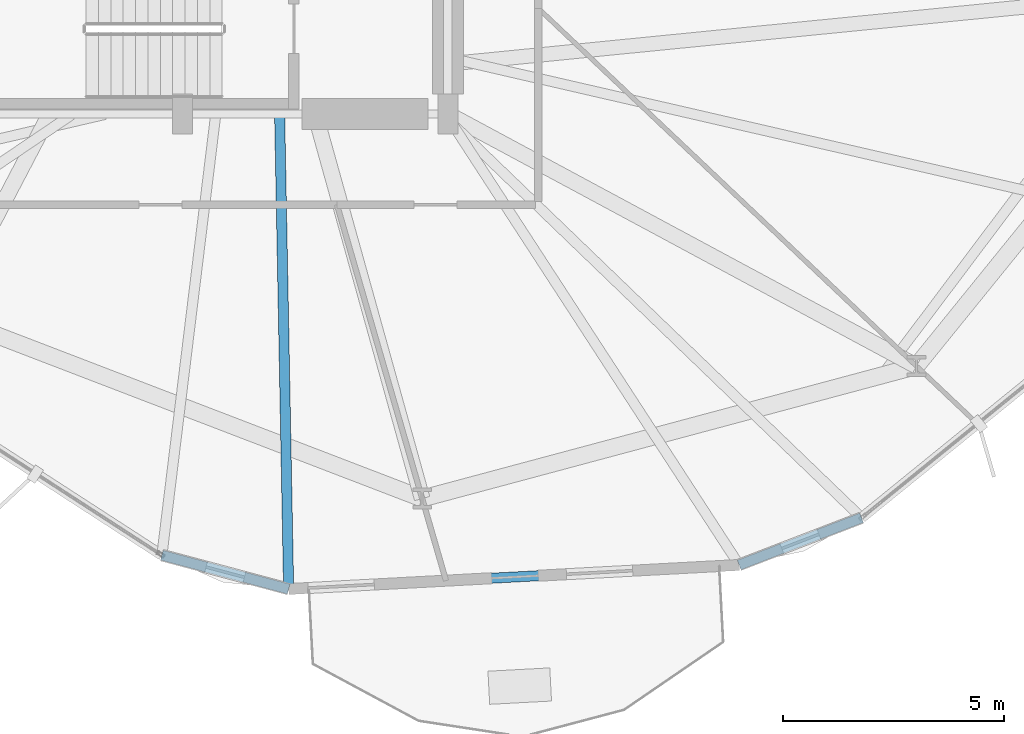
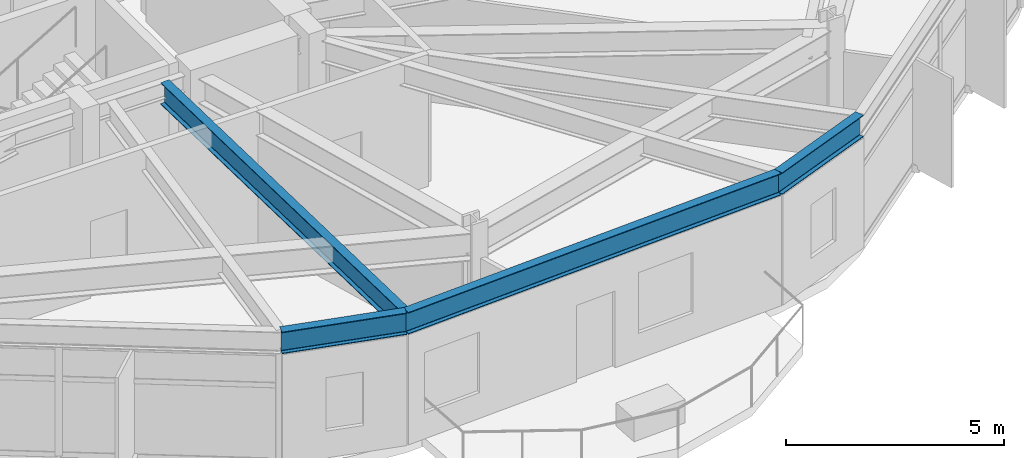
# One storey, part 4 of 23: 4 beams.
"""IFC4 building model written with IfcOpenShell, lengths in metres."""

from ifc_helpers import new_model, si_unit, direction, frame, origin, origin_2d, place, context, subcontext, project, spatial, i_section, extrude, material, material_profile, profile_set, type_object, element, save


model = new_model("IFC4")

# Units and contexts
model_context = context("Model", 3, precision=1e-05, world=origin(), true_north=direction((0.0, 1.0)))
body_context = subcontext(model_context, "Body", "Model", "MODEL_VIEW")
ifc_project = project(units=[si_unit("LENGTHUNIT", "METRE"), si_unit("AREAUNIT", "SQUARE_METRE"), si_unit("VOLUMEUNIT", "CUBIC_METRE"), si_unit("PLANEANGLEUNIT", "RADIAN"), si_unit("MASSUNIT", "GRAM", prefix="KILO")], contexts=[model_context])

# Site, building, storey
site_placement = place(None, origin())
site = spatial("IfcSite", under=ifc_project, at=site_placement, CompositionType="ELEMENT")
building_placement = place(site_placement, origin())
building = spatial("IfcBuilding", under=site, at=building_placement, Name="Soratama Intermodal Tower", CompositionType="ELEMENT")
storey_placement = place(building_placement, frame((0.0, 0.0, 38.60009765625)))
storey = spatial("IfcBuildingStorey", under=building, at=storey_placement, Name="L08", CompositionType="ELEMENT", Elevation=38.60009765625)

# Beams
ifc_material_1 = material(Name="Structural steel ASTM A992 Grade 50", Category="steel")
ifc_material_profile_1 = material_profile(ifc_material_1, i_section(OverallWidth=0.22900390625, OverallDepth=0.612060546875, WebThickness=0.011962890625, FlangeThickness=0.01953125, FilletRadius=0.012939453125, at=origin_2d()), Name="W24X84")
ifc_profile_set_1 = profile_set([ifc_material_profile_1], Name="Structural steel ASTM A992 Grade 50")
beam_type_1 = type_object("IfcBeamType", Name="BM-SPN-W24X84", PredefinedType="SPANDREL", material=ifc_profile_set_1)
beam_1_placement = place(storey_placement, frame((38.135009765625, 5.02392578125, 3.393798828125), z_axis=(0.966181642502, -0.25786243172, 0.0), x_axis=(0.25786243172, 0.966181642502, 0.0)))
element("IfcBeam", 1, at=beam_1_placement, inside=storey, type_object=beam_type_1, Name="BS-L08-CRN07", PredefinedType="SPANDREL", context=body_context, shape_type="SweptSolid", body=[
    extrude(i_section(OverallWidth=0.22900390625, OverallDepth=0.612060546875, WebThickness=0.011962890625, FlangeThickness=0.01953125, FilletRadius=0.012939453125, at=origin_2d()), origin(), (0.0, 0.0, 1.0), 2.96630859375),
])
beam_2_placement = place(storey_placement, frame((41.0009765625, 4.259033203125, 3.393798828125), z_axis=(0.998577476633, 0.05332000714, 0.0), x_axis=(-0.05332000714, 0.998577476633, 0.0)))
element("IfcBeam", 2, at=beam_2_placement, inside=storey, type_object=beam_type_1, Name="BS-L08-F08", PredefinedType="SPANDREL", context=body_context, shape_type="SweptSolid", body=[
    extrude(i_section(OverallWidth=0.22900390625, OverallDepth=0.612060546875, WebThickness=0.011962890625, FlangeThickness=0.01953125, FilletRadius=0.012939453125, at=origin_2d()), origin(), (0.0, 0.0, 1.0), 10.201416015625),
])
beam_3_placement = place(storey_placement, frame((51.18798828125, 4.802978515625, 3.393798828125), z_axis=(0.933063223578, 0.359712414029, 0.0), x_axis=(-0.359712414029, 0.933063223578, 0.0)))
element("IfcBeam", 3, at=beam_3_placement, inside=storey, type_object=beam_type_1, Name="BS-L08-CRN08", PredefinedType="SPANDREL", context=body_context, shape_type="SweptSolid", body=[
    extrude(i_section(OverallWidth=0.22900390625, OverallDepth=0.612060546875, WebThickness=0.011962890625, FlangeThickness=0.01953125, FilletRadius=0.012939453125, at=origin_2d()), origin(), (0.0, 0.0, 1.0), 2.966552734375),
])
ifc_material_2 = material(Name="Structural steel ASTM A992 Grade 50", Category="steel")
ifc_material_profile_2 = material_profile(ifc_material_2, i_section(OverallWidth=0.22900390625, OverallDepth=0.612060546875, WebThickness=0.011962890625, FlangeThickness=0.01953125, FilletRadius=0.012939453125, at=origin_2d()), Name="W24X84")
ifc_profile_set_2 = profile_set([ifc_material_profile_2], Name="Structural steel ASTM A992 Grade 50")
beam_type_2 = type_object("IfcBeamType", Name="BM-TIE-W24X84", PredefinedType="BEAM", material=ifc_profile_set_2)
beam_4_placement = place(storey_placement, frame((40.798095703125, 14.9599609375, 3.393798828125), z_axis=(0.018955777612, -0.999820323106, 0.0), x_axis=(0.999820323106, 0.018955777612, 0.0)))
element("IfcBeam", 4, at=beam_4_placement, inside=storey, type_object=beam_type_2, Name="BM-L08-TIE0-08", PredefinedType="BEAM", context=body_context, shape_type="SweptSolid", body=[
    extrude(i_section(OverallWidth=0.22900390625, OverallDepth=0.612060546875, WebThickness=0.011962890625, FlangeThickness=0.01953125, FilletRadius=0.012939453125, at=origin_2d()), origin(), (0.0, 0.0, 1.0), 10.702880859375),
])

save(model, "model.ifc")
